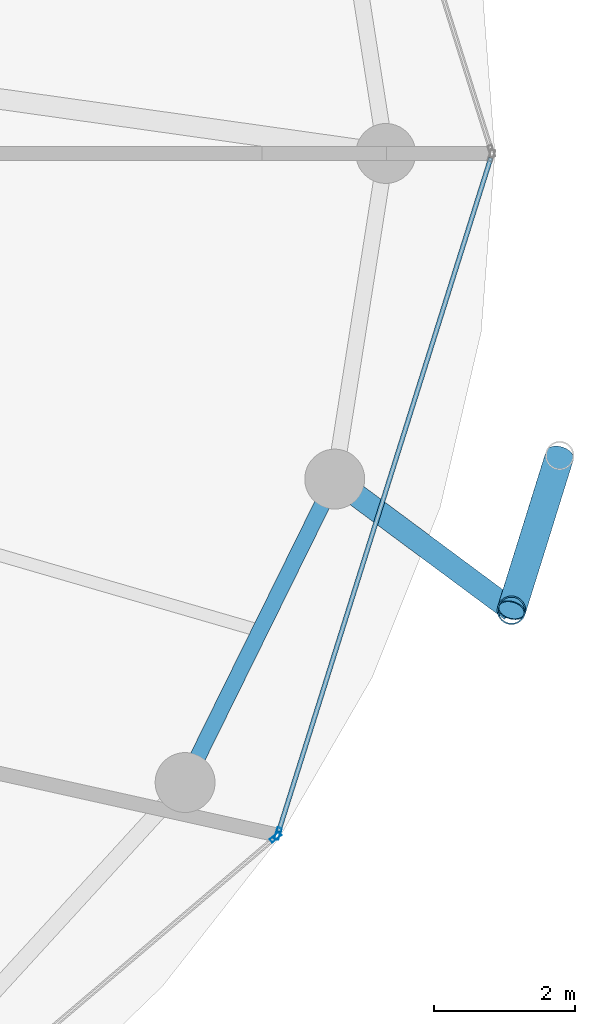
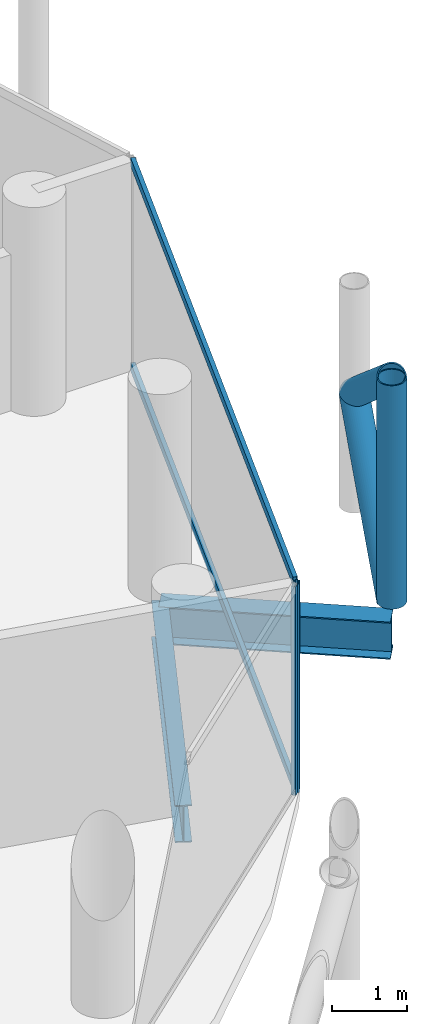
# One storey, part 13 of 27: 7 members, 2 beams, 2 elements without a shape of their own.
"""IFC4 building model written with IfcOpenShell, lengths in metres."""

from ifc_helpers import new_model, si_unit, direction, frame, origin, origin_2d, place, context, subcontext, project, spatial, hollow_rectangle, hollow_circle, i_section, extrude, material, layer, layer_set, material_profile, profile_set, type_object, element, aggregate, save


model = new_model("IFC4")

# Units and contexts
model_context = context("Model", 3, precision=1e-05, world=origin(), true_north=direction((0.0, 1.0)))
body_context = subcontext(model_context, "Body", "Model", "MODEL_VIEW")
ifc_project = project(units=[si_unit("LENGTHUNIT", "METRE"), si_unit("AREAUNIT", "SQUARE_METRE"), si_unit("VOLUMEUNIT", "CUBIC_METRE"), si_unit("PLANEANGLEUNIT", "RADIAN"), si_unit("MASSUNIT", "GRAM", prefix="KILO")], contexts=[model_context])

# Site, building, storey
site_placement = place(None, origin())
site = spatial("IfcSite", under=ifc_project, at=site_placement, CompositionType="ELEMENT")
building_placement = place(site_placement, origin())
building = spatial("IfcBuilding", under=site, at=building_placement, Name="Nuhasar Tower", CompositionType="ELEMENT")
storey_placement = place(building_placement, frame((0.0, 0.0, 233.699951171875)))
storey = spatial("IfcBuildingStorey", under=building, at=storey_placement, Name="L57", CompositionType="ELEMENT", Elevation=233.699951171875)

# Beams
ifc_material_1 = material(Name="Steel S355", Category="steel")
ifc_material_profile_1 = material_profile(ifc_material_1, i_section(OverallWidth=0.22802734375, OverallDepth=0.60791015625, WebThickness=0.01123046875, FlangeThickness=0.017333984375, at=origin_2d()), Name="W24X76")
ifc_profile_set_1 = profile_set([ifc_material_profile_1], Name="Steel S355")
beam_type_1 = type_object("IfcBeamType", Name="BM-RING-W24X76", PredefinedType="SPANDREL", material=ifc_profile_set_1)
beam_1_placement = place(storey_placement, frame((57.403076171875, 17.875, -0.5439453125), z_axis=(0.442262779282, 0.896885518928, 0.0), x_axis=(-0.896885518928, 0.442262779282, 0.0)))
element("IfcBeam", 1, at=beam_1_placement, inside=storey, type_object=beam_type_1, Name="L57 Perimeter Ring Spandrel 23", PredefinedType="SPANDREL", context=body_context, shape_type="SweptSolid", body=[
    extrude(i_section(OverallWidth=0.22802734375, OverallDepth=0.60791015625, WebThickness=0.01123046875, FlangeThickness=0.017333984375, at=origin_2d()), origin(), (0.0, 0.0, 1.0), 4.7998046875),
])
ifc_material_profile_2 = material_profile(ifc_material_1, i_section(OverallWidth=0.323974609375, OverallDepth=0.611083984375, WebThickness=0.0126953125, FlangeThickness=0.01904296875, at=origin_2d()), Name="W24X104")
ifc_profile_set_2 = profile_set([ifc_material_profile_2], Name="Steel S355")
beam_type_2 = type_object("IfcBeamType", Name="BM-TIE-W24X104", PredefinedType="BEAM", material=ifc_profile_set_2)
beam_2_placement = place(storey_placement, frame((59.52587890625, 22.179931640625, -0.544921875), z_axis=(0.802983345014, -0.596001466131, 0.0), x_axis=(0.596001466131, 0.802983345014, 0.0)))
element("IfcBeam", 2, at=beam_2_placement, inside=storey, type_object=beam_type_2, Name="L57 Exoskeleton Node Tie Beam 12", PredefinedType="BEAM", context=body_context, shape_type="SweptSolid", body=[
    extrude(i_section(OverallWidth=0.323974609375, OverallDepth=0.611083984375, WebThickness=0.0126953125, FlangeThickness=0.01904296875, at=origin_2d()), origin(), (0.0, 0.0, 1.0), 3.122314453125),
])

# Curtain wall, member
ifc_material_2 = material(Name="Aluminium 6063-T6", Category="aluminium")
ifc_layer = layer(ifc_material_2, 0.18994140625)
ifc_layer_set = layer_set([ifc_layer], Name="Aluminium 6063-T6")
curtain_wall_type = type_object("IfcCurtainWallType", Name="CW-Z3-RES", PredefinedType="NOTDEFINED", material=ifc_layer_set)
curtain_wall_1_placement = place(storey_placement, origin())
curtain_wall_1 = element("IfcCurtainWall", 3, at=curtain_wall_1_placement, inside=storey, type_object=curtain_wall_type, Name="L57 Unitised Curtain Wall 11", PredefinedType="NOTDEFINED")
ifc_material_profile_3 = material_profile(ifc_material_2, hollow_rectangle(XDim=0.06494140625, YDim=0.169921875, WallThickness=0.0048828125, at=origin_2d()), Name="CWM-4")
ifc_profile_set_3 = profile_set([ifc_material_profile_3], Name="Aluminium 6063-T6")
member_type_1 = type_object("IfcMemberType", Name="CW-MUL-S4", PredefinedType="MULLION", material=ifc_profile_set_3)
member_1_placement = place(storey_placement, frame((58.686279296875, 17.098876953125, 0.0), z_axis=(0.0, 0.0, 1.0), x_axis=(-0.64789521578, 0.761729472562, 0.0)))
member_1 = element("IfcMember", 4, at=member_1_placement, type_object=member_type_1, Name="CW-Z3 mullion 2", PredefinedType="MULLION", context=body_context, shape_type="SweptSolid", body=[
    extrude(hollow_rectangle(XDim=0.06494140625, YDim=0.169921875, WallThickness=0.0048828125, at=origin_2d()), origin(), (0.0, 0.0, 1.0), 3.41015625),
])
aggregate(curtain_wall_1, [member_1])

# Curtain wall, members
curtain_wall_2_placement = place(storey_placement, origin())
curtain_wall_2 = element("IfcCurtainWall", 5, at=curtain_wall_2_placement, inside=storey, type_object=curtain_wall_type, Name="L57 Unitised Curtain Wall 12", PredefinedType="NOTDEFINED")
member_2_placement = place(storey_placement, frame((58.720703125, 17.15087890625, 0.0), z_axis=(0.0, 0.0, 1.0), x_axis=(-0.95380429279, 0.30042864553, 0.0)))
member_2 = element("IfcMember", 6, at=member_2_placement, type_object=member_type_1, Name="CW-Z3 mullion 1", PredefinedType="MULLION", context=body_context, shape_type="SweptSolid", body=[
    extrude(hollow_rectangle(XDim=0.06494140625, YDim=0.169921875, WallThickness=0.0048828125, at=origin_2d()), origin(), (0.0, 0.0, 1.0), 3.41015625),
])
ifc_material_profile_4 = material_profile(ifc_material_2, hollow_rectangle(XDim=0.06494140625, YDim=0.139892578125, WallThickness=0.00439453125, at=origin_2d()), Name="CWT-4")
ifc_profile_set_4 = profile_set([ifc_material_profile_4], Name="Aluminium 6063-T6")
member_type_2 = type_object("IfcMemberType", Name="CW-TRN-S4", PredefinedType="USERDEFINED", material=ifc_profile_set_4)
member_3_placement = place(storey_placement, frame((58.73046875, 17.181884765625, 0.032470703125), z_axis=(0.300430390604, 0.953803743126, 0.0), x_axis=(-0.953803743126, 0.300430390604, 0.0)))
member_3 = element("IfcMember", 7, at=member_3_placement, type_object=member_type_2, Name="CW-Z3 transom 1.1", ObjectType="TRANSOM", PredefinedType="USERDEFINED", context=body_context, shape_type="SweptSolid", body=[
    extrude(hollow_rectangle(XDim=0.06494140625, YDim=0.139892578125, WallThickness=0.00439453125, at=origin_2d()), origin(), (0.0, 0.0, 1.0), 10.01904296875),
])
member_4_placement = place(storey_placement, frame((58.73046875, 17.181884765625, 3.37744140625), z_axis=(0.300430390604, 0.953803743126, 0.0), x_axis=(-0.953803743126, 0.300430390604, 0.0)))
member_4 = element("IfcMember", 8, at=member_4_placement, type_object=member_type_2, Name="CW-Z3 transom 1.2", ObjectType="TRANSOM", PredefinedType="USERDEFINED", context=body_context, shape_type="SweptSolid", body=[
    extrude(hollow_rectangle(XDim=0.06494140625, YDim=0.139892578125, WallThickness=0.00439453125, at=origin_2d()), origin(), (0.0, 0.0, 1.0), 10.01904296875),
])
aggregate(curtain_wall_2, [member_2, member_3, member_4])

# Members
ifc_material_3 = material(Name="Steel S460", Category="steel")
ifc_material_profile_5 = material_profile(ifc_material_3, hollow_circle(Radius=0.203125, WallThickness=0.01904296875, at=origin_2d()), Name="HSS406.4X19.1")
ifc_profile_set_5 = profile_set([ifc_material_profile_5], Name="Steel S460")
member_type_3 = type_object("IfcMemberType", Name="EXO-BRONZE-406", PredefinedType="BRACE", material=ifc_profile_set_5)
member_5_placement = place(storey_placement, frame((62.032958984375, 20.319091796875, 0.0), z_axis=(0.0, 0.0, 1.0), x_axis=(1.0, 0.0, 0.0)))
element("IfcMember", 9, at=member_5_placement, inside=storey, type_object=member_type_3, Name="L57 Exoskeleton Chord Column EC-12A", PredefinedType="BRACE", context=body_context, shape_type="SweptSolid", body=[
    extrude(hollow_circle(Radius=0.203125, WallThickness=0.01904296875, at=origin_2d()), origin(), (0.0, 0.0, 1.0), 3.650146484375),
])
for number, where, z_axis, x_axis, name in (
    (10, (62.032958984375, 20.319091796875, 0.0), (0.233372423355, 0.747689980743, 0.621688832709), (-0.954581948223, 0.297948492404, 0.0), "L57 Bronze Diagrid Brace W1-12"),
    (11, (62.718017578125, 22.513916015625, 1.824951171875), (-0.233360356896, -0.747651321632, 0.621739853228), (0.954581948223, -0.297948492404, 0.0), "L57 Bronze Diagrid Brace W2-12"),
):
    element("IfcMember", number, at=place(storey_placement, frame(where, z_axis=z_axis, x_axis=x_axis)), inside=storey, type_object=member_type_3, Name=name, PredefinedType="BRACE", context=body_context, shape_type="SweptSolid", body=[
        extrude(hollow_circle(Radius=0.203125, WallThickness=0.01904296875, at=origin_2d()), origin(), (0.0, 0.0, 1.0), 2.935546875),
    ])

save(model, "model.ifc")
